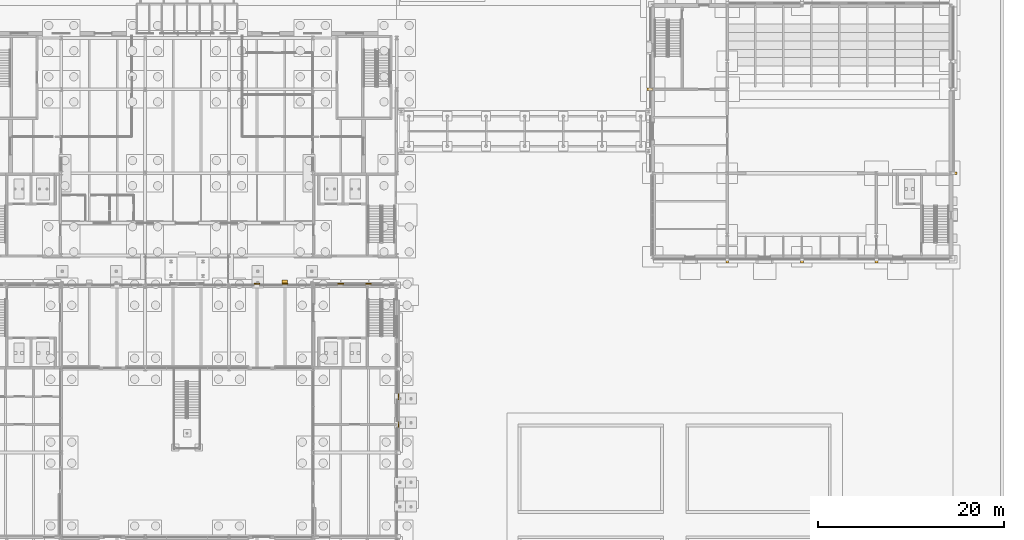
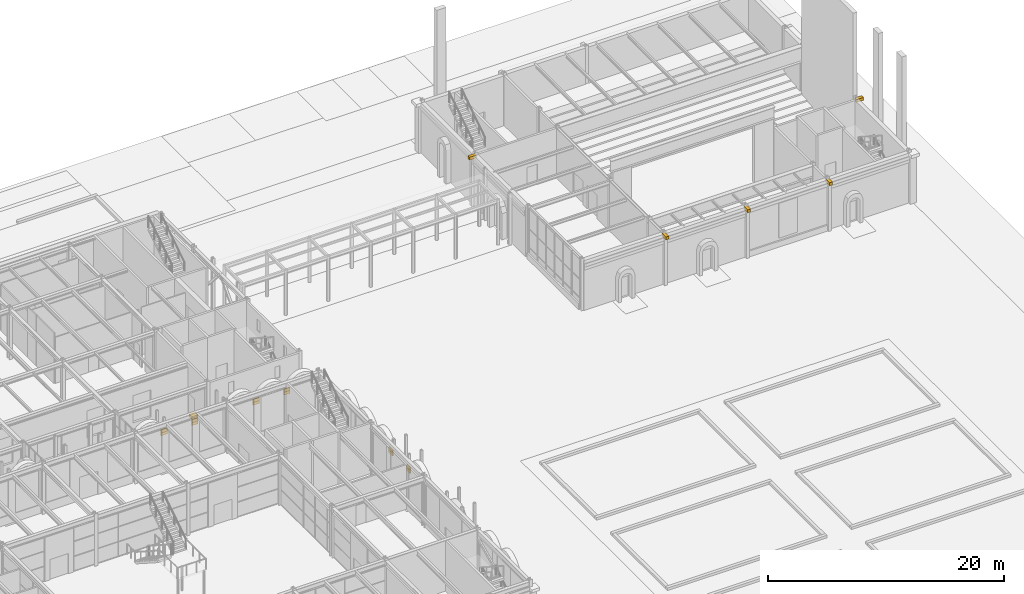
# One storey, part 124 of 126: 18 coverings.
"""IFC4 building model written with IfcOpenShell, lengths in metres."""

from ifc_helpers import new_model, si_unit, direction, frame, origin, origin_2d, place, context, subcontext, project, spatial, rectangle, extrude, material, layer, layer_set, type_object, element, save


model = new_model("IFC4")

# Units and contexts
model_context = context("Model", 3, precision=1e-05, world=origin(), true_north=direction((0.0, 1.0)))
body_context = subcontext(model_context, "Body", "Model", "MODEL_VIEW")
ifc_project = project(units=[si_unit("LENGTHUNIT", "METRE"), si_unit("AREAUNIT", "SQUARE_METRE"), si_unit("VOLUMEUNIT", "CUBIC_METRE"), si_unit("PLANEANGLEUNIT", "RADIAN"), si_unit("MASSUNIT", "GRAM", prefix="KILO")], contexts=[model_context])

# Site, building, storey
site_placement = place(None, origin())
site = spatial("IfcSite", under=ifc_project, at=site_placement, CompositionType="ELEMENT")
building_placement = place(site_placement, origin())
building = spatial("IfcBuilding", under=site, at=building_placement, Name="Kallimachos Central Library", CompositionType="ELEMENT")
storey_placement = place(building_placement, origin())
storey = spatial("IfcBuildingStorey", under=building, at=storey_placement, Name="L00", CompositionType="ELEMENT", Elevation=0.0)

# Coverings
ifc_material_1 = material(Name="Glazed ceramic frieze, green")
ifc_layer_1 = layer(ifc_material_1, 0.10009765625)
ifc_layer_set_1 = layer_set([ifc_layer_1], Name="Glazed ceramic frieze, green")
covering_type_1 = type_object("IfcCoveringType", Name="Glazed ceramic frieze, green", PredefinedType="CLADDING", material=ifc_layer_set_1)
for number, where, z_axis, x_axis, name in (
    (1, (95.5, 84.115966796875, 4.02978515625), (0.0, 0.0, 1.0), (1.0, 0.0, 0.0), "Glazed ceramic frieze, green -L00-023"),
    (2, (98.5, 84.115966796875, 4.02978515625), (0.0, 0.0, 1.0), (1.0, 0.0, 0.0), "Glazed ceramic frieze, green -L00-023"),
    (3, (104.5, 84.115966796875, 4.02978515625), (0.0, 0.0, 1.0), (1.0, 0.0, 0.0), "Glazed ceramic frieze, green -L00-024"),
    (4, (107.5, 84.115966796875, 4.02978515625), (0.0, 0.0, 1.0), (1.0, 0.0, 0.0), "Glazed ceramic frieze, green -L00-024"),
):
    element("IfcCovering", number, at=place(storey_placement, frame(where, z_axis=z_axis, x_axis=x_axis)), inside=storey, type_object=covering_type_1, Name=name, PredefinedType="CLADDING", context=body_context, shape_type="SweptSolid", body=[
        extrude(rectangle(XDim=0.60009765625, YDim=0.10009765625, at=origin_2d()), origin(), (0.0, 0.0, 1.0), 0.300048828125),
    ])
for number, where, z_axis, x_axis, name in (
    (5, (110.699951171875, 69.0, 4.02978515625), (0.0, 0.0, 1.0), (1.0, 0.0, 0.0), "Glazed ceramic frieze, green -L00-031"),
    (6, (110.699951171875, 72.0, 4.02978515625), (0.0, 0.0, 1.0), (1.0, 0.0, 0.0), "Glazed ceramic frieze, green -L00-031"),
):
    element("IfcCovering", number, at=place(storey_placement, frame(where, z_axis=z_axis, x_axis=x_axis)), inside=storey, type_object=covering_type_1, Name=name, PredefinedType="CLADDING", context=body_context, shape_type="SweptSolid", body=[
        extrude(rectangle(XDim=0.10009765625, YDim=0.60009765625, at=origin_2d()), origin(), (0.0, 0.0, 1.0), 0.300048828125),
    ])
ifc_material_2 = material(Name="Glazed ceramic frieze, ochre")
ifc_layer_2 = layer(ifc_material_2, 0.10009765625)
ifc_layer_set_2 = layer_set([ifc_layer_2], Name="Glazed ceramic frieze, ochre")
covering_type_2 = type_object("IfcCoveringType", Name="Glazed ceramic frieze, ochre", PredefinedType="CLADDING", material=ifc_layer_set_2)
for number, where, z_axis, x_axis, name in (
    (7, (95.5, 84.115966796875, 3.72998046875), (0.0, 0.0, 1.0), (1.0, 0.0, 0.0), "Glazed ceramic frieze, ochre -L00-023"),
    (8, (98.5, 84.115966796875, 3.72998046875), (0.0, 0.0, 1.0), (1.0, 0.0, 0.0), "Glazed ceramic frieze, ochre -L00-023"),
    (9, (104.5, 84.115966796875, 3.72998046875), (0.0, 0.0, 1.0), (1.0, 0.0, 0.0), "Glazed ceramic frieze, ochre -L00-024"),
    (10, (107.5, 84.115966796875, 3.72998046875), (0.0, 0.0, 1.0), (1.0, 0.0, 0.0), "Glazed ceramic frieze, ochre -L00-024"),
):
    element("IfcCovering", number, at=place(storey_placement, frame(where, z_axis=z_axis, x_axis=x_axis)), inside=storey, type_object=covering_type_2, Name=name, PredefinedType="CLADDING", context=body_context, shape_type="SweptSolid", body=[
        extrude(rectangle(XDim=0.60009765625, YDim=0.10009765625, at=origin_2d()), origin(), (0.0, 0.0, 1.0), 0.300048828125),
    ])
for number, where, z_axis, x_axis, name in (
    (11, (110.699951171875, 69.0, 3.72998046875), (0.0, 0.0, 1.0), (1.0, 0.0, 0.0), "Glazed ceramic frieze, ochre -L00-031"),
    (12, (110.699951171875, 72.0, 3.72998046875), (0.0, 0.0, 1.0), (1.0, 0.0, 0.0), "Glazed ceramic frieze, ochre -L00-031"),
):
    element("IfcCovering", number, at=place(storey_placement, frame(where, z_axis=z_axis, x_axis=x_axis)), inside=storey, type_object=covering_type_2, Name=name, PredefinedType="CLADDING", context=body_context, shape_type="SweptSolid", body=[
        extrude(rectangle(XDim=0.10009765625, YDim=0.60009765625, at=origin_2d()), origin(), (0.0, 0.0, 1.0), 0.300048828125),
    ])
ifc_material_3 = material(Name="Pentelic marble cornice", Category="masonry")
ifc_layer_3 = layer(ifc_material_3, 0.449951171875)
ifc_layer_set_3 = layer_set([ifc_layer_3], Name="Stone cornice 450")
covering_type_3 = type_object("IfcCoveringType", Name="Stone cornice 450", PredefinedType="MOLDING", material=ifc_layer_set_3)
covering_placement = place(storey_placement, frame((98.5, 84.291015625, 4.35009765625), z_axis=(0.0, 0.0, 1.0), x_axis=(1.0, 0.0, 0.0)))
element("IfcCovering", 13, at=covering_placement, inside=storey, type_object=covering_type_3, Name="Stone cornice 450 -L00-023", PredefinedType="MOLDING", context=body_context, shape_type="SweptSolid", body=[
    extrude(rectangle(XDim=0.60009765625, YDim=0.449951171875, at=origin_2d()), origin(), (0.0, 0.0, 1.0), 0.300048828125),
])
for number, where, z_axis, x_axis, name in (
    (14, (137.675048828125, 105.0, 4.85009765625), (0.0, 0.0, 1.0), (1.0, 0.0, 0.0), "Stone cornice 450 -L00-001"),
    (15, (170.324951171875, 96.0, 4.85009765625), (0.0, 0.0, 1.0), (1.0, 0.0, 0.0), "Stone cornice 450 -L00-003"),
):
    element("IfcCovering", number, at=place(storey_placement, frame(where, z_axis=z_axis, x_axis=x_axis)), inside=storey, type_object=covering_type_3, Name=name, PredefinedType="MOLDING", context=body_context, shape_type="SweptSolid", body=[
        extrude(rectangle(XDim=0.64990234375, YDim=0.300048828125, at=origin_2d()), origin(), (0.0, 0.0, 1.0), 0.300048828125),
    ])
for number, where, z_axis, x_axis, name in (
    (16, (146.0, 86.675048828125, 4.85009765625), (0.0, 0.0, 1.0), (1.0, 0.0, 0.0), "Stone cornice 450 -L00-007"),
    (17, (154.0, 86.675048828125, 4.85009765625), (0.0, 0.0, 1.0), (1.0, 0.0, 0.0), "Stone cornice 450 -L00-008"),
    (18, (162.0, 86.675048828125, 4.85009765625), (0.0, 0.0, 1.0), (1.0, 0.0, 0.0), "Stone cornice 450 -L00-009"),
):
    element("IfcCovering", number, at=place(storey_placement, frame(where, z_axis=z_axis, x_axis=x_axis)), inside=storey, type_object=covering_type_3, Name=name, PredefinedType="MOLDING", context=body_context, shape_type="SweptSolid", body=[
        extrude(rectangle(XDim=0.300048828125, YDim=0.64990234375, at=origin_2d()), origin(), (0.0, 0.0, 1.0), 0.300048828125),
    ])

save(model, "model.ifc")
